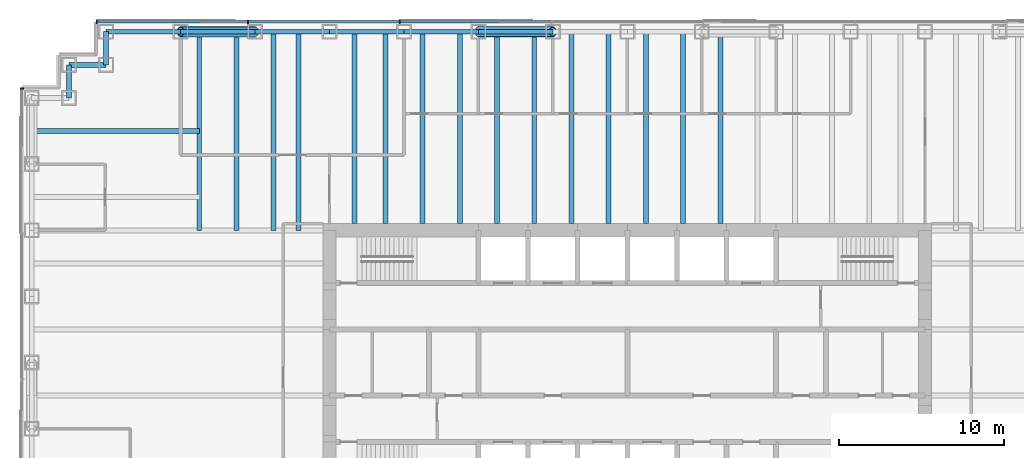
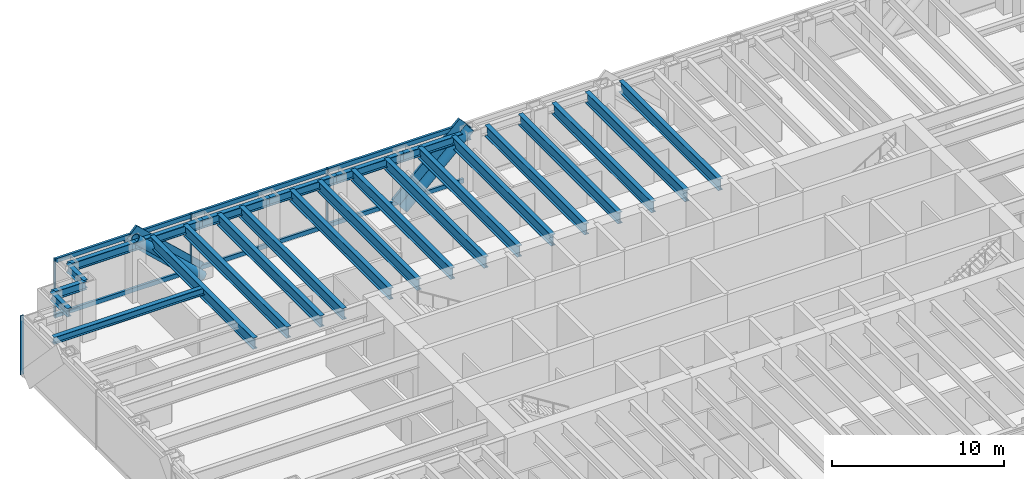
# One storey, part 6 of 15: 25 beams, 14 members, 2 elements without a shape of their own.
"""IFC4 building model written with IfcOpenShell, lengths in metres."""

from ifc_helpers import new_model, si_unit, direction, frame, origin, origin_2d, place, context, subcontext, project, spatial, rectangle, hollow_circle, i_section, extrude, material, material_profile, profile_set, type_object, element, aggregate, save


model = new_model("IFC4")

# Units and contexts
model_context = context("Model", 3, precision=1e-05, world=origin(), true_north=direction((0.0, 1.0)))
body_context = subcontext(model_context, "Body", "Model", "MODEL_VIEW")
ifc_project = project(units=[si_unit("LENGTHUNIT", "METRE"), si_unit("AREAUNIT", "SQUARE_METRE"), si_unit("VOLUMEUNIT", "CUBIC_METRE"), si_unit("PLANEANGLEUNIT", "RADIAN"), si_unit("MASSUNIT", "GRAM", prefix="KILO")], contexts=[model_context])

# Site, building, storey
site_placement = place(None, origin())
site = spatial("IfcSite", under=ifc_project, at=site_placement, CompositionType="ELEMENT")
building_placement = place(site_placement, origin())
building = spatial("IfcBuilding", under=site, at=building_placement, Name="Rheinbord Bourse Tower", CompositionType="ELEMENT")
storey_placement = place(building_placement, frame((0.0, 0.0, 236.199951171875)))
storey = spatial("IfcBuildingStorey", under=building, at=storey_placement, Name="L53", CompositionType="ELEMENT", Elevation=236.199951171875)

# Curtain wall, members
ifc_material_1 = material(Name="Dark glass and black aluminium", Category="aluminium")
curtain_wall_type = type_object("IfcCurtainWallType", Name="CW2 DARK GLASS CURTAIN WALL", PredefinedType="USERDEFINED", material=ifc_material_1)
curtain_wall_1_placement = place(storey_placement, origin())
curtain_wall_1 = element("IfcCurtainWall", 1, at=curtain_wall_1_placement, inside=storey, type_object=curtain_wall_type, Name="Curtain wall CW2 N L53", ObjectType="UNITISED CURTAIN WALL", PredefinedType="USERDEFINED")
ifc_material_2 = material(Name="Black anodised aluminium", Category="aluminium")
ifc_material_profile_1 = material_profile(ifc_material_2, rectangle(XDim=0.159912109375, YDim=1.2099609375, at=origin_2d()), Name="CW2 DIAGONAL MULLION 1210x160")
ifc_profile_set_1 = profile_set([ifc_material_profile_1], Name="Black anodised aluminium")
member_type_1 = type_object("IfcMemberType", Name="CW2 BLACK DIAGONAL MULLION", PredefinedType="USERDEFINED", material=ifc_profile_set_1)
member_1_placement = place(storey_placement, frame((13.5, 44.60009765625, 0.0), z_axis=(-0.73105922506, 0.0, 0.682314010889), x_axis=(0.0, -1.0, 0.0)))
member_1 = element("IfcMember", 2, at=member_1_placement, type_object=member_type_1, Name="CW2 diagonal mullion a", ObjectType="DIAGONAL MULLION", PredefinedType="USERDEFINED", context=body_context, shape_type="SweptSolid", body=[
    extrude(rectangle(XDim=0.159912109375, YDim=1.2099609375, at=origin_2d()), origin(), (0.0, 0.0, 1.0), 6.155517578125),
])
member_2_placement = place(storey_placement, frame((27.0, 44.60009765625, 0.0), z_axis=(0.73105922506, 0.0, 0.682314010889), x_axis=(0.0, 1.0, 0.0)))
member_2 = element("IfcMember", 3, at=member_2_placement, type_object=member_type_1, Name="CW2 diagonal mullion c", ObjectType="DIAGONAL MULLION", PredefinedType="USERDEFINED", context=body_context, shape_type="SweptSolid", body=[
    extrude(rectangle(XDim=0.159912109375, YDim=1.2099609375, at=origin_2d()), origin(), (0.0, 0.0, 1.0), 6.155517578125),
])
ifc_material_3 = material(Name="Black anodised aluminium", Category="aluminium")
ifc_material_profile_2 = material_profile(ifc_material_3, rectangle(XDim=0.219970703125, YDim=0.070068359375, at=origin_2d()), Name="CW2 MULLION 70x220")
ifc_profile_set_2 = profile_set([ifc_material_profile_2], Name="Black anodised aluminium")
member_type_2 = type_object("IfcMemberType", Name="CW2 BLACK MULLION", PredefinedType="MULLION", material=ifc_profile_set_2)
member_3_placement = place(storey_placement, frame((22.242919921875, 44.60009765625, 0.0), z_axis=(0.0, 0.0, 1.0), x_axis=(0.0, -1.0, 0.0)))
member_3 = element("IfcMember", 4, at=member_3_placement, type_object=member_type_2, Name="CW2 mullion 6", PredefinedType="MULLION", context=body_context, shape_type="SweptSolid", body=[
    extrude(rectangle(XDim=0.219970703125, YDim=0.070068359375, at=origin_2d()), origin(), (0.0, 0.0, 1.0), 4.199951171875),
])
member_4_placement = place(storey_placement, frame((13.071533203125, 44.60009765625, 0.0), z_axis=(0.0, 0.0, 1.0), x_axis=(0.0, -1.0, 0.0)))
member_4 = element("IfcMember", 5, at=member_4_placement, type_object=member_type_2, Name="CW2 mullion 7", PredefinedType="MULLION", context=body_context, shape_type="SweptSolid", body=[
    extrude(rectangle(XDim=0.219970703125, YDim=0.070068359375, at=origin_2d()), origin(), (0.0, 0.0, 1.0), 4.199951171875),
])
member_5_placement = place(storey_placement, frame((3.93505859375, 44.60009765625, 0.0), z_axis=(0.0, 0.0, 1.0), x_axis=(0.0, -1.0, 0.0)))
member_5 = element("IfcMember", 6, at=member_5_placement, type_object=member_type_2, Name="CW2 mullion 8", PredefinedType="MULLION", context=body_context, shape_type="SweptSolid", body=[
    extrude(rectangle(XDim=0.219970703125, YDim=0.070068359375, at=origin_2d()), origin(), (0.0, 0.0, 1.0), 4.199951171875),
])

# Curtain wall, member
curtain_wall_2_placement = place(storey_placement, origin())
curtain_wall_2 = element("IfcCurtainWall", 7, at=curtain_wall_2_placement, inside=storey, type_object=curtain_wall_type, Name="Curtain wall CW2 W L53", ObjectType="UNITISED CURTAIN WALL", PredefinedType="USERDEFINED")
member_6_placement = place(storey_placement, frame((-0.60009765625, 40.56494140625, 0.0), z_axis=(0.0, 0.0, 1.0), x_axis=(1.0, 0.0, 0.0)))
member_6 = element("IfcMember", 8, at=member_6_placement, type_object=member_type_2, Name="CW2 mullion 1", PredefinedType="MULLION", context=body_context, shape_type="SweptSolid", body=[
    extrude(rectangle(XDim=0.219970703125, YDim=0.070068359375, at=origin_2d()), origin(), (0.0, 0.0, 1.0), 4.199951171875),
])
aggregate(curtain_wall_2, [member_6])

# Member
ifc_material_4 = material(Name="Black anodised aluminium", Category="aluminium")
ifc_material_profile_3 = material_profile(ifc_material_4, rectangle(XDim=0.159912109375, YDim=0.300048828125, at=origin_2d()), Name="CW2 TRANSOM 300x160")
ifc_profile_set_3 = profile_set([ifc_material_profile_3], Name="Black anodised aluminium")
member_type_3 = type_object("IfcMemberType", Name="CW2 BLACK TRANSOM", PredefinedType="USERDEFINED", material=ifc_profile_set_3)
member_7_placement = place(storey_placement, frame((31.37939453125, 44.60009765625, 0.150146484375), z_axis=(-1.0, 0.0, 0.0), x_axis=(0.0, -1.0, 0.0)))
member_7 = element("IfcMember", 9, at=member_7_placement, type_object=member_type_3, Name="CW2 transom 5.1", ObjectType="TRANSOM", PredefinedType="USERDEFINED", context=body_context, shape_type="SweptSolid", body=[
    extrude(rectangle(XDim=0.159912109375, YDim=0.300048828125, at=origin_2d()), origin(), (0.0, 0.0, 1.0), 9.1015625),
])

member_8_placement = place(storey_placement, frame((31.37939453125, 44.60009765625, 4.050048828125), z_axis=(-1.0, 0.0, 0.0), x_axis=(0.0, -1.0, 0.0)))
member_8 = element("IfcMember", 10, at=member_8_placement, type_object=member_type_3, Name="CW2 transom 5.2", ObjectType="TRANSOM", PredefinedType="USERDEFINED", context=body_context, shape_type="SweptSolid", body=[
    extrude(rectangle(XDim=0.159912109375, YDim=0.300048828125, at=origin_2d()), origin(), (0.0, 0.0, 1.0), 9.1015625),
])

member_9_placement = place(storey_placement, frame((22.207763671875, 44.60009765625, 0.150146484375), z_axis=(-1.0, 0.0, 0.0), x_axis=(0.0, -1.0, 0.0)))
member_9 = element("IfcMember", 11, at=member_9_placement, type_object=member_type_3, Name="CW2 transom 6.1", ObjectType="TRANSOM", PredefinedType="USERDEFINED", context=body_context, shape_type="SweptSolid", body=[
    extrude(rectangle(XDim=0.159912109375, YDim=0.300048828125, at=origin_2d()), origin(), (0.0, 0.0, 1.0), 9.101318359375),
])

member_10_placement = place(storey_placement, frame((22.207763671875, 44.60009765625, 4.050048828125), z_axis=(-1.0, 0.0, 0.0), x_axis=(0.0, -1.0, 0.0)))
member_10 = element("IfcMember", 12, at=member_10_placement, type_object=member_type_3, Name="CW2 transom 6.2", ObjectType="TRANSOM", PredefinedType="USERDEFINED", context=body_context, shape_type="SweptSolid", body=[
    extrude(rectangle(XDim=0.159912109375, YDim=0.300048828125, at=origin_2d()), origin(), (0.0, 0.0, 1.0), 9.101318359375),
])

member_11_placement = place(storey_placement, frame((13.036376953125, 44.60009765625, 0.150146484375), z_axis=(-1.0, 0.0, 0.0), x_axis=(0.0, -1.0, 0.0)))
member_11 = element("IfcMember", 13, at=member_11_placement, type_object=member_type_3, Name="CW2 transom 7.1", ObjectType="TRANSOM", PredefinedType="USERDEFINED", context=body_context, shape_type="SweptSolid", body=[
    extrude(rectangle(XDim=0.159912109375, YDim=0.300048828125, at=origin_2d()), origin(), (0.0, 0.0, 1.0), 9.06640625),
])

member_12_placement = place(storey_placement, frame((13.036376953125, 44.60009765625, 4.050048828125), z_axis=(-1.0, 0.0, 0.0), x_axis=(0.0, -1.0, 0.0)))
member_12 = element("IfcMember", 14, at=member_12_placement, type_object=member_type_3, Name="CW2 transom 7.2", ObjectType="TRANSOM", PredefinedType="USERDEFINED", context=body_context, shape_type="SweptSolid", body=[
    extrude(rectangle(XDim=0.159912109375, YDim=0.300048828125, at=origin_2d()), origin(), (0.0, 0.0, 1.0), 9.06640625),
])

aggregate(curtain_wall_1, [member_3, member_4, member_5, member_7, member_8, member_9, member_10, member_11, member_12, member_1, member_2])

# Beams
ifc_material_5 = material(Name="Steel S460", Category="steel")
ifc_material_profile_4 = material_profile(ifc_material_5, i_section(OverallWidth=0.300048828125, OverallDepth=0.800048828125, WebThickness=0.017578125, FlangeThickness=0.032958984375, at=origin_2d()), Name="HEB 800")
ifc_profile_set_4 = profile_set([ifc_material_profile_4], Name="Steel S460")
beam_type_1 = type_object("IfcBeamType", Name="FLOOR BEAM HEB 800", PredefinedType="BEAM", material=ifc_profile_set_4)
for number, where, z_axis, x_axis, name in (
    (15, (10.125, 44.0, 3.64013671875), (0.0, -1.0, 0.0), (1.0, 0.0, 0.0), "Floor beam N-9a L54"),
    (16, (12.375, 44.0, 3.64013671875), (0.0, -1.0, 0.0), (1.0, 0.0, 0.0), "Floor beam N-9b L54"),
    (17, (14.625, 44.0, 3.64013671875), (0.0, -1.0, 0.0), (1.0, 0.0, 0.0), "Floor beam N-13.5a L54"),
    (18, (16.125, 44.0, 3.64013671875), (0.0, -1.0, 0.0), (1.0, 0.0, 0.0), "Floor beam N-13.5b L54"),
):
    element("IfcBeam", number, at=place(storey_placement, frame(where, z_axis=z_axis, x_axis=x_axis)), inside=storey, type_object=beam_type_1, Name=name, PredefinedType="BEAM", context=body_context, shape_type="SweptSolid", body=[
        extrude(i_section(OverallWidth=0.300048828125, OverallDepth=0.800048828125, WebThickness=0.017578125, FlangeThickness=0.032958984375, at=origin_2d()), origin(), (0.0, 0.0, 1.0), 12.0),
    ])
for number, where, z_axis, x_axis, name in (
    (19, (19.5, 44.0, 3.64013671875), (0.0, -1.0, 0.0), (1.0, 0.0, 0.0), "Floor beam N-18a L54"),
    (20, (21.375, 44.0, 3.64013671875), (0.0, -1.0, 0.0), (1.0, 0.0, 0.0), "Floor beam N-18b L54"),
    (21, (23.625, 44.0, 3.64013671875), (0.0, -1.0, 0.0), (1.0, 0.0, 0.0), "Floor beam N-22.5a L54"),
    (22, (25.875, 44.0, 3.64013671875), (0.0, -1.0, 0.0), (1.0, 0.0, 0.0), "Floor beam N-22.5b L54"),
    (23, (28.125, 44.0, 3.64013671875), (0.0, -1.0, 0.0), (1.0, 0.0, 0.0), "Floor beam N-27a L54"),
    (24, (30.375, 44.0, 3.64013671875), (0.0, -1.0, 0.0), (1.0, 0.0, 0.0), "Floor beam N-27b L54"),
    (25, (32.625, 44.0, 3.64013671875), (0.0, -1.0, 0.0), (1.0, 0.0, 0.0), "Floor beam N-31.5a L54"),
    (26, (34.875, 44.0, 3.64013671875), (0.0, -1.0, 0.0), (1.0, 0.0, 0.0), "Floor beam N-31.5b L54"),
    (27, (37.125, 44.0, 3.64013671875), (0.0, -1.0, 0.0), (1.0, 0.0, 0.0), "Floor beam N-36a L54"),
    (28, (39.375, 44.0, 3.64013671875), (0.0, -1.0, 0.0), (1.0, 0.0, 0.0), "Floor beam N-36b L54"),
    (29, (41.625, 44.0, 3.64013671875), (0.0, -1.0, 0.0), (1.0, 0.0, 0.0), "Floor beam N-40.5a L54"),
):
    element("IfcBeam", number, at=place(storey_placement, frame(where, z_axis=z_axis, x_axis=x_axis)), inside=storey, type_object=beam_type_1, Name=name, PredefinedType="BEAM", context=body_context, shape_type="SweptSolid", body=[
        extrude(i_section(OverallWidth=0.300048828125, OverallDepth=0.800048828125, WebThickness=0.017578125, FlangeThickness=0.032958984375, at=origin_2d()), origin(), (0.0, 0.0, 1.0), 11.60009765625),
    ])

# Members
ifc_material_6 = material(Name="Steel S460", Category="steel")
ifc_material_profile_5 = material_profile(ifc_material_6, hollow_circle(Radius=0.304931640625, WallThickness=0.0400390625, at=origin_2d()), Name="CHS 610x40")
ifc_profile_set_5 = profile_set([ifc_material_profile_5], Name="Steel S460")
member_type_4 = type_object("IfcMemberType", Name="MEGABRACE CHS 610x40", PredefinedType="BRACE", material=ifc_profile_set_5)
for number, where, z_axis, x_axis, name in (
    (30, (13.5, 44.0, 0.0), (-0.73105922506, 0.0, 0.682314010889), (0.0, -1.0, 0.0), "Megabrace N face line a L53"),
    (31, (27.0, 44.0, 0.0), (0.73105922506, 0.0, 0.682314010889), (0.0, 1.0, 0.0), "Megabrace N face line c L53"),
):
    element("IfcMember", number, at=place(storey_placement, frame(where, z_axis=z_axis, x_axis=x_axis)), inside=storey, type_object=member_type_4, Name=name, PredefinedType="BRACE", context=body_context, shape_type="SweptSolid", body=[
        extrude(hollow_circle(Radius=0.304931640625, WallThickness=0.0400390625, at=origin_2d()), origin(), (0.0, 0.0, 1.0), 6.155517578125),
    ])

# Beams
ifc_material_7 = material(Name="Steel S460", Category="steel")
ifc_material_profile_6 = material_profile(ifc_material_7, i_section(OverallWidth=0.300048828125, OverallDepth=0.60009765625, WebThickness=0.015380859375, FlangeThickness=0.030029296875, at=origin_2d()), Name="HEB 600")
ifc_profile_set_6 = profile_set([ifc_material_profile_6], Name="Steel S460")
beam_type_2 = type_object("IfcBeamType", Name="SPANDREL HEB 600", PredefinedType="SPANDREL", material=ifc_profile_set_6)
for number, where, z_axis, x_axis, name in (
    (32, (31.5, 44.0, 3.739990234375), (-1.0, 0.0, 0.0), (0.0, -1.0, 0.0), "Spandrel N-31.5-N-27 under L54"),
    (33, (27.0, 44.0, 3.739990234375), (-1.0, 0.0, 0.0), (0.0, -1.0, 0.0), "Spandrel N-27-N-22.5 under L54"),
    (34, (22.5, 44.0, 3.739990234375), (-1.0, 0.0, 0.0), (0.0, -1.0, 0.0), "Spandrel N-22.5-N-18 under L54"),
    (35, (18.0, 44.0, 3.739990234375), (-1.0, 0.0, 0.0), (0.0, -1.0, 0.0), "Spandrel N-18-N-13.5 under L54"),
    (36, (13.5, 44.0, 3.739990234375), (-1.0, 0.0, 0.0), (0.0, -1.0, 0.0), "Spandrel N-13.5-N-9 under L54"),
    (37, (9.0, 44.0, 3.739990234375), (-1.0, 0.0, 0.0), (0.0, -1.0, 0.0), "Spandrel N-9-NW-E under L54"),
):
    element("IfcBeam", number, at=place(storey_placement, frame(where, z_axis=z_axis, x_axis=x_axis)), inside=storey, type_object=beam_type_2, Name=name, PredefinedType="SPANDREL", context=body_context, shape_type="SweptSolid", body=[
        extrude(i_section(OverallWidth=0.300048828125, OverallDepth=0.60009765625, WebThickness=0.015380859375, FlangeThickness=0.030029296875, at=origin_2d()), origin(), (0.0, 0.0, 1.0), 4.5),
    ])
beam_1_placement = place(storey_placement, frame((4.5, 44.0, 3.739990234375), z_axis=(0.0, -1.0, 0.0), x_axis=(1.0, 0.0, 0.0)))
element("IfcBeam", 38, at=beam_1_placement, inside=storey, type_object=beam_type_2, Name="Spandrel NW-E-NW-D under L54", PredefinedType="SPANDREL", context=body_context, shape_type="SweptSolid", body=[
    extrude(i_section(OverallWidth=0.300048828125, OverallDepth=0.60009765625, WebThickness=0.015380859375, FlangeThickness=0.030029296875, at=origin_2d()), origin(), (0.0, 0.0, 1.0), 2.0),
])
beam_2_placement = place(storey_placement, frame((4.5, 42.0, 3.739990234375), z_axis=(-1.0, 0.0, 0.0), x_axis=(0.0, -1.0, 0.0)))
element("IfcBeam", 39, at=beam_2_placement, inside=storey, type_object=beam_type_2, Name="Spandrel NW-D-NW-C under L54", PredefinedType="SPANDREL", context=body_context, shape_type="SweptSolid", body=[
    extrude(i_section(OverallWidth=0.300048828125, OverallDepth=0.60009765625, WebThickness=0.015380859375, FlangeThickness=0.030029296875, at=origin_2d()), origin(), (0.0, 0.0, 1.0), 2.25),
])
beam_3_placement = place(storey_placement, frame((2.25, 42.0, 3.739990234375), z_axis=(0.0, -1.0, 0.0), x_axis=(1.0, 0.0, 0.0)))
element("IfcBeam", 40, at=beam_3_placement, inside=storey, type_object=beam_type_2, Name="Spandrel NW-C-NW-B under L54", PredefinedType="SPANDREL", context=body_context, shape_type="SweptSolid", body=[
    extrude(i_section(OverallWidth=0.300048828125, OverallDepth=0.60009765625, WebThickness=0.015380859375, FlangeThickness=0.030029296875, at=origin_2d()), origin(), (0.0, 0.0, 1.0), 2.0),
])
ifc_material_8 = material(Name="Steel S460", Category="steel")
ifc_material_profile_7 = material_profile(ifc_material_8, i_section(OverallWidth=0.300048828125, OverallDepth=0.5, WebThickness=0.014404296875, FlangeThickness=0.028076171875, at=origin_2d()), Name="HEB 500")
ifc_profile_set_7 = profile_set([ifc_material_profile_7], Name="Steel S460")
beam_type_3 = type_object("IfcBeamType", Name="TIE BEAM HEB 500", PredefinedType="JOIST", material=ifc_profile_set_7)
beam_4_placement = place(storey_placement, frame((0.0, 38.0, 3.7900390625), z_axis=(1.0, 0.0, 0.0), x_axis=(0.0, 1.0, 0.0)))
element("IfcBeam", 41, at=beam_4_placement, inside=storey, type_object=beam_type_3, Name="Tie west 38 L54", PredefinedType="JOIST", context=body_context, shape_type="SweptSolid", body=[
    extrude(i_section(OverallWidth=0.300048828125, OverallDepth=0.5, WebThickness=0.014404296875, FlangeThickness=0.028076171875, at=origin_2d()), origin(), (0.0, 0.0, 1.0), 10.125),
])

save(model, "model.ifc")
